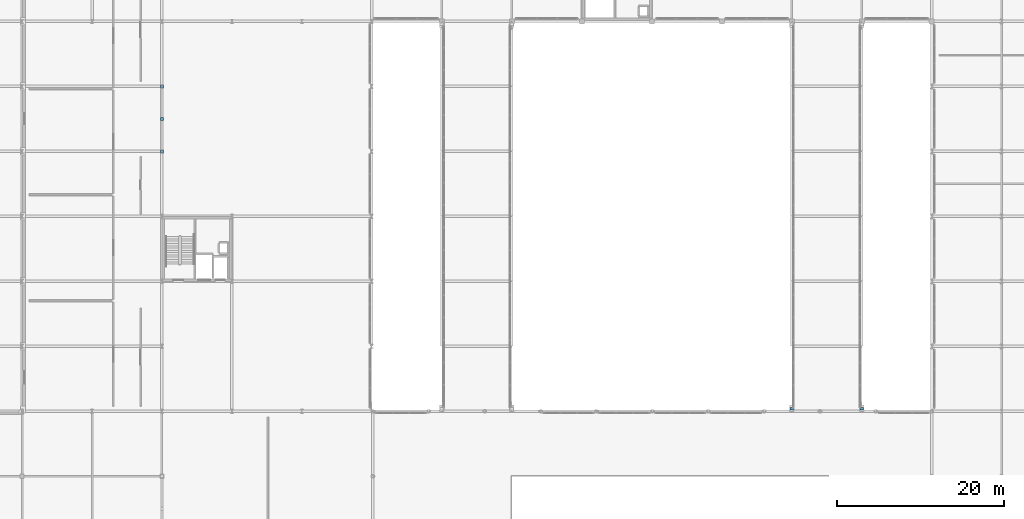
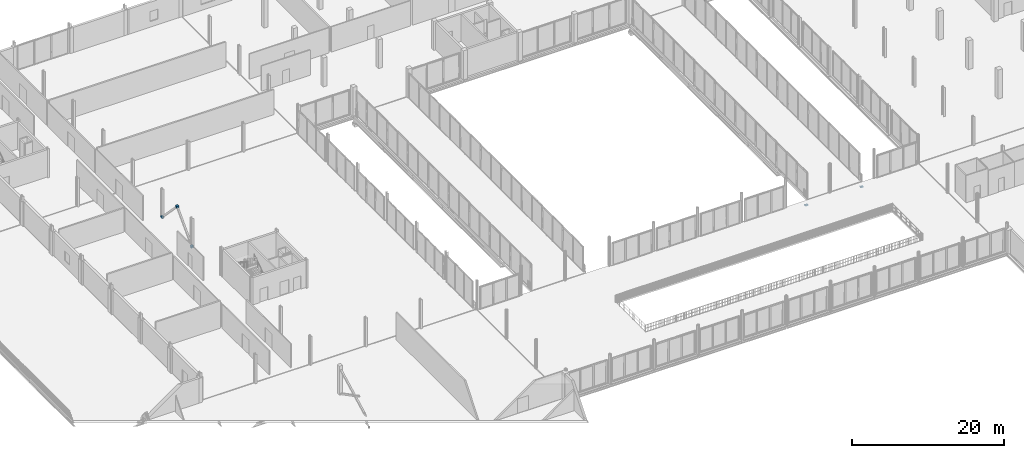
# One storey, part 81 of 98: 5 discrete accessories.
"""IFC4 building model written with IfcOpenShell, lengths in metres."""

from ifc_helpers import new_model, si_unit, direction, frame, origin, origin_2d, place, context, subcontext, project, spatial, rectangle, extrude, material, layer, layer_set, type_object, element, save


model = new_model("IFC4")

# Units and contexts
model_context = context("Model", 3, precision=1e-05, world=origin(), true_north=direction((0.0, 1.0)))
body_context = subcontext(model_context, "Body", "Model", "MODEL_VIEW")
ifc_project = project(units=[si_unit("LENGTHUNIT", "METRE"), si_unit("AREAUNIT", "SQUARE_METRE"), si_unit("VOLUMEUNIT", "CUBIC_METRE"), si_unit("PLANEANGLEUNIT", "RADIAN"), si_unit("MASSUNIT", "GRAM", prefix="KILO")], contexts=[model_context])

# Site, building, storey
site_placement = place(None, origin())
site = spatial("IfcSite", under=ifc_project, at=site_placement, CompositionType="ELEMENT")
building_placement = place(site_placement, origin())
building = spatial("IfcBuilding", under=site, at=building_placement, Name="Nabrawat Pavilion Hospital", CompositionType="ELEMENT")
storey_placement = place(building_placement, frame((0.0, 0.0, 10.199951171875)))
storey = spatial("IfcBuildingStorey", under=building, at=storey_placement, Name="L02", CompositionType="ELEMENT", Elevation=10.199951171875)

# Discrete accessories
ifc_material = material(Name="Steel S355", Category="steel")
ifc_layer_1 = layer(ifc_material, 0.02001953125, Name="Steel S355")
ifc_layer_set_1 = layer_set([ifc_layer_1], Name="Steel S355")
discrete_accessory_type_1 = type_object("IfcDiscreteAccessoryType", Name="Brace and Strut Gusset End Bracket 20", PredefinedType="BRACKET", material=ifc_layer_set_1)
for number, where, z_axis, x_axis, name in (
    (1, (33.60009765625, 74.10009765625, 3.93017578125), (0.0, 0.0, 1.0), (1.0, 0.0, 0.0), "L02 Brace and Strut Gusset End Connection 0042"),
    (2, (33.60009765625, 70.199951171875, -0.1201171875), (0.0, 0.0, 1.0), (1.0, 0.0, 0.0), "L02 Brace and Strut Gusset End Connection 0043"),
    (3, (33.60009765625, 78.0, -0.1201171875), (0.0, 0.0, 1.0), (1.0, 0.0, 0.0), "L02 Brace and Strut Gusset End Connection 0044"),
):
    element("IfcDiscreteAccessory", number, at=place(storey_placement, frame(where, z_axis=z_axis, x_axis=x_axis)), inside=storey, type_object=discrete_accessory_type_1, Name=name, PredefinedType="BRACKET", context=body_context, shape_type="SweptSolid", body=[
        extrude(rectangle(XDim=0.340087890625, YDim=0.340087890625, at=origin_2d()), origin(), (0.0, 0.0, 1.0), 0.340087890625),
    ])
ifc_layer_2 = layer(ifc_material, 0.139892578125, Name="Steel S355")
ifc_layer_set_2 = layer_set([ifc_layer_2], Name="Steel S355")
discrete_accessory_type_2 = type_object("IfcDiscreteAccessoryType", Name="PTFE Elastomeric Bridge Sliding Bearing", PredefinedType="BRACKET", material=ifc_layer_set_2)
for number, where, z_axis, x_axis, name in (
    (4, (109.199951171875, 39.320068359375, -1.080078125), (0.0, 0.0, 1.0), (1.0, 0.0, 0.0), "L02 Courtyard Link Bridge PTFE Sliding Bearing S 13"),
    (5, (117.60009765625, 39.320068359375, -1.080078125), (0.0, 0.0, 1.0), (1.0, 0.0, 0.0), "L02 Courtyard Link Bridge PTFE Sliding Bearing S 15"),
):
    element("IfcDiscreteAccessory", number, at=place(storey_placement, frame(where, z_axis=z_axis, x_axis=x_axis)), inside=storey, type_object=discrete_accessory_type_2, Name=name, PredefinedType="BRACKET", context=body_context, shape_type="SweptSolid", body=[
        extrude(rectangle(XDim=0.39990234375, YDim=0.300048828125, at=origin_2d()), origin(), (0.0, 0.0, 1.0), 0.139892578125),
    ])

save(model, "model.ifc")
